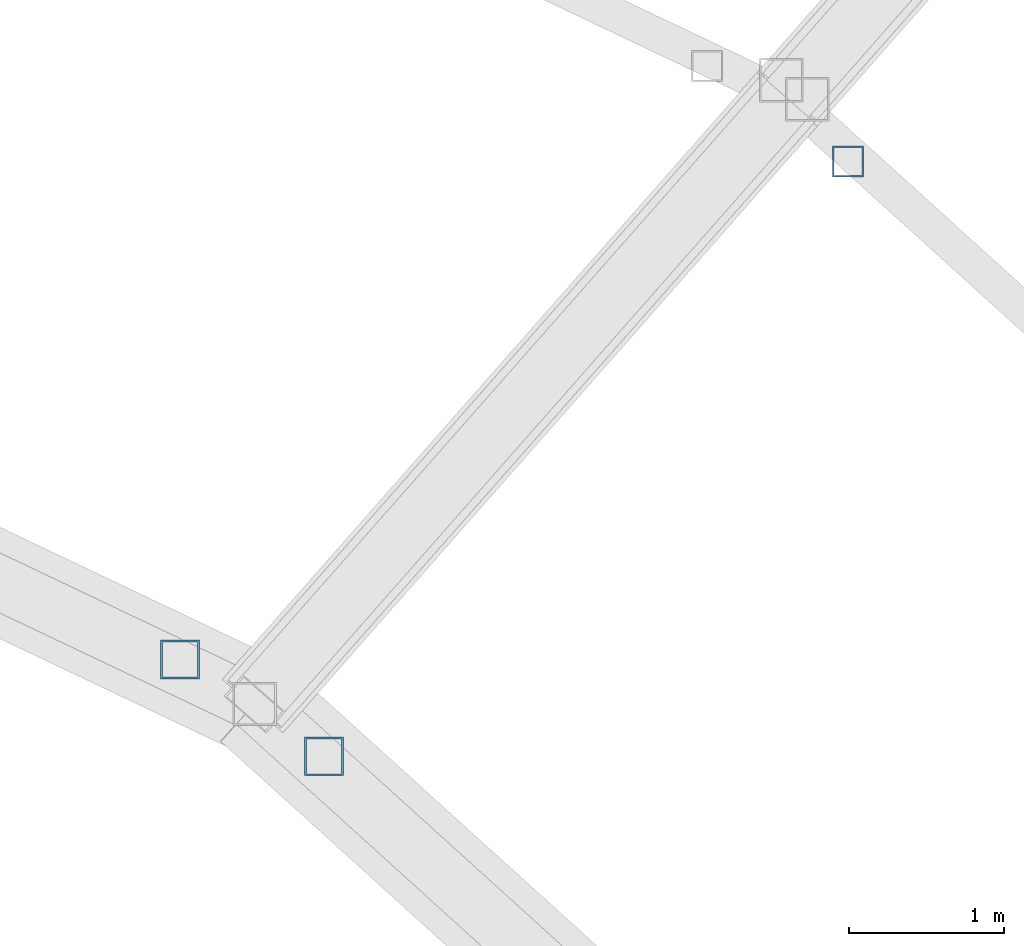
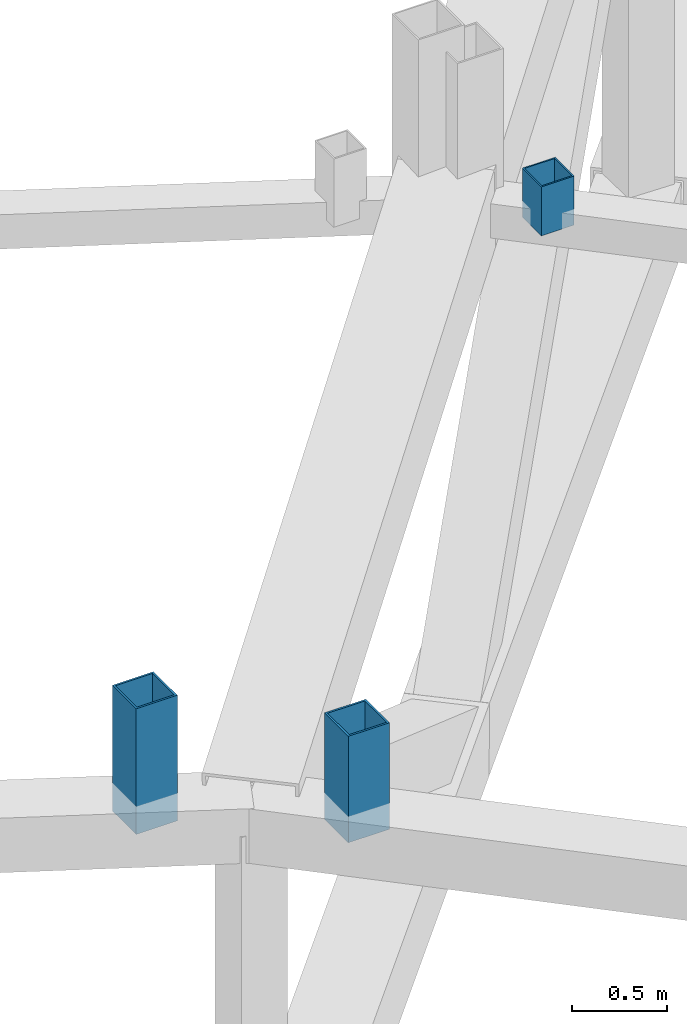
# One storey, part 122 of 162: 3 members.
"""IFC4 building model written with IfcOpenShell, lengths in metres."""

from ifc_helpers import new_model, si_unit, direction, frame, origin, origin_2d, place, context, subcontext, project, spatial, hollow_rectangle, extrude, material, material_profile, profile_set, type_object, element, save


model = new_model("IFC4")

# Units and contexts
model_context = context("Model", 3, precision=1e-05, world=origin(), true_north=direction((0.0, 1.0)))
body_context = subcontext(model_context, "Body", "Model", "MODEL_VIEW")
ifc_project = project(units=[si_unit("LENGTHUNIT", "METRE"), si_unit("AREAUNIT", "SQUARE_METRE"), si_unit("VOLUMEUNIT", "CUBIC_METRE"), si_unit("PLANEANGLEUNIT", "RADIAN"), si_unit("MASSUNIT", "GRAM", prefix="KILO")], contexts=[model_context])

# Site, building, storey
site_placement = place(None, origin())
site = spatial("IfcSite", under=ifc_project, at=site_placement, CompositionType="ELEMENT")
building_placement = place(site_placement, origin())
building = spatial("IfcBuilding", under=site, at=building_placement, Name="Kazemori Nagisa Stadium", CompositionType="ELEMENT")
storey_placement = place(building_placement, frame((0.0, 0.0, 36.719970703125)))
storey = spatial("IfcBuildingStorey", under=building, at=storey_placement, Name="RF", CompositionType="ELEMENT", Elevation=36.719970703125)

# Members
ifc_material = material(Name="Steel STKR490", Category="steel")
ifc_material_profile_1 = material_profile(ifc_material, hollow_rectangle(XDim=0.25, YDim=0.25, WallThickness=0.011962890625, at=origin_2d()), Name="SHS-250x250x12")
ifc_profile_set_1 = profile_set([ifc_material_profile_1], Name="Steel STKR490")
member_type_1 = type_object("IfcMemberType", Name="Member_ST-SHS250", PredefinedType="STUD", material=ifc_profile_set_1)
member_1_placement = place(storey_placement, frame((156.938232421875, 139.679443359375, 4.60595703125), z_axis=(0.0, 0.0, 1.0), x_axis=(1.0, 0.0, 0.0)))
element("IfcMember", 1, at=member_1_placement, inside=storey, type_object=member_type_1, Name="Oculus skylight bearing stool B04-2", PredefinedType="STUD", context=body_context, shape_type="SweptSolid", body=[
    extrude(hollow_rectangle(XDim=0.25, YDim=0.25, WallThickness=0.011962890625, at=origin_2d()), origin(), (0.0, 0.0, 1.0), 0.68408203125),
])
member_2_placement = place(storey_placement, frame((156.009521484375, 140.30419921875, 4.60595703125), z_axis=(0.0, 0.0, 1.0), x_axis=(1.0, 0.0, 0.0)))
element("IfcMember", 2, at=member_2_placement, inside=storey, type_object=member_type_1, Name="Oculus skylight bearing stool B05-1", PredefinedType="STUD", context=body_context, shape_type="SweptSolid", body=[
    extrude(hollow_rectangle(XDim=0.25, YDim=0.25, WallThickness=0.011962890625, at=origin_2d()), origin(), (0.0, 0.0, 1.0), 0.80712890625),
])
ifc_material_profile_2 = material_profile(ifc_material, hollow_rectangle(XDim=0.199951171875, YDim=0.199951171875, WallThickness=0.009033203125, at=origin_2d()), Name="SHS-200x200x9")
ifc_profile_set_2 = profile_set([ifc_material_profile_2], Name="Steel STKR490")
member_type_2 = type_object("IfcMemberType", Name="Member_TS-SHS200", PredefinedType="STRUT", material=ifc_profile_set_2)
member_3_placement = place(storey_placement, frame((160.313232421875, 143.51220703125, 4.97509765625), z_axis=(0.0, 0.0, 1.0), x_axis=(1.0, 0.0, 0.0)))
element("IfcMember", 3, at=member_3_placement, inside=storey, type_object=member_type_2, Name="Oculus skylight bearing stool B04-3", PredefinedType="STRUT", context=body_context, shape_type="SweptSolid", body=[
    extrude(hollow_rectangle(XDim=0.199951171875, YDim=0.199951171875, WallThickness=0.009033203125, at=origin_2d()), origin(), (0.0, 0.0, 1.0), 0.31494140625),
])

save(model, "model.ifc")
